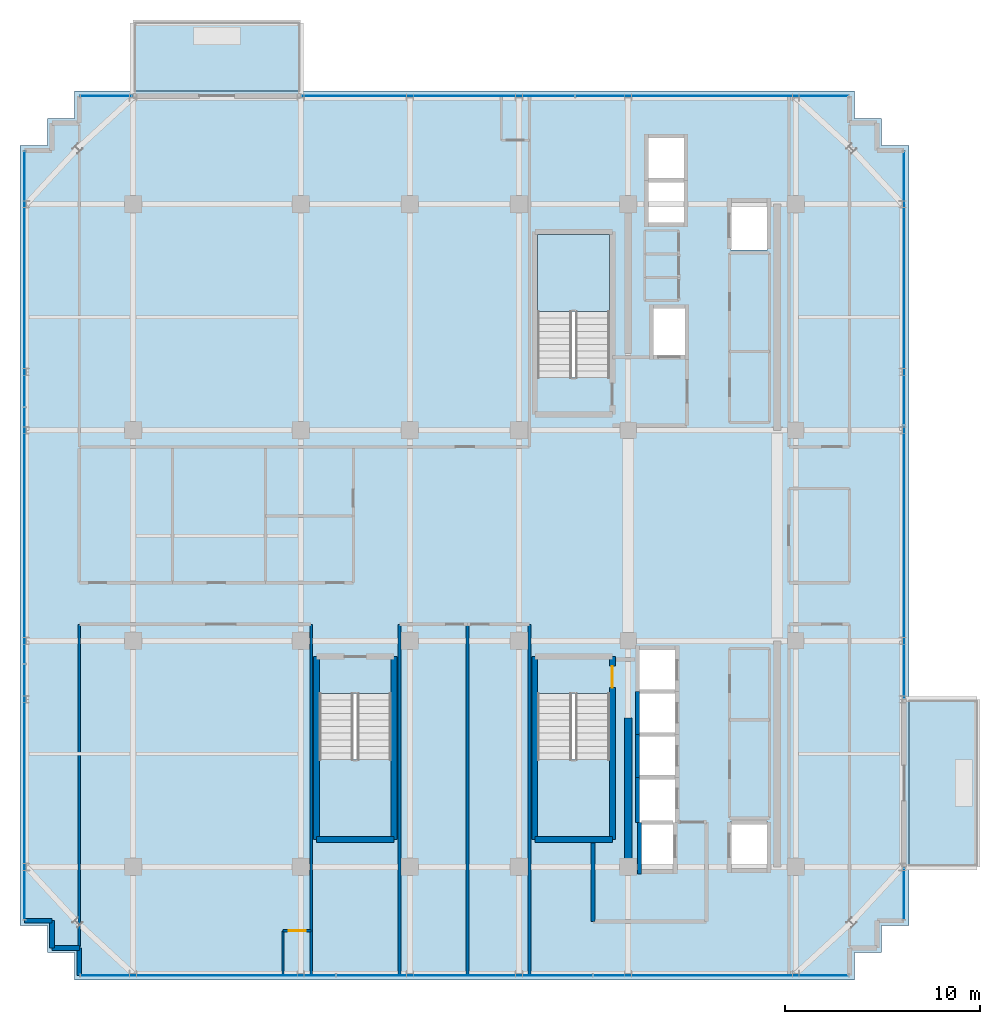
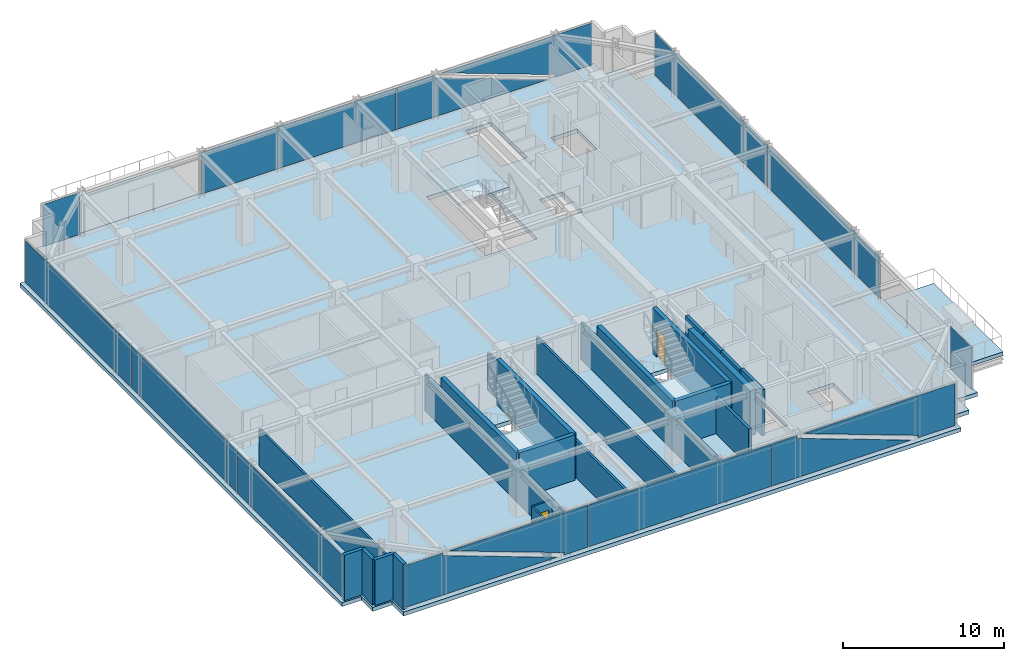
# One storey, part 23 of 31: 23 walls, 12 plates, 6 slabs, 2 doors, 2 openings, 9 elements without a shape of their own.
"""IFC4 building model written with IfcOpenShell, lengths in metres."""

from ifc_helpers import new_model, si_unit, direction, frame, frame_2d, origin, origin_2d, place, context, subcontext, project, spatial, polyline, rectangle, outline, extrude, source, transform, mapped, material, layer, layer_set, type_object, element, fill, aggregate, save


model = new_model("IFC4")

# Units and contexts
model_context = context("Model", 3, precision=1e-05, world=origin(), true_north=direction((0.0, 1.0)))
body_context = subcontext(model_context, "Body", "Model", "MODEL_VIEW")
ifc_project = project(units=[si_unit("LENGTHUNIT", "METRE"), si_unit("AREAUNIT", "SQUARE_METRE"), si_unit("VOLUMEUNIT", "CUBIC_METRE"), si_unit("PLANEANGLEUNIT", "RADIAN"), si_unit("MASSUNIT", "GRAM", prefix="KILO")], contexts=[model_context])

# Site, building, storey
site_placement = place(None, origin())
site = spatial("IfcSite", under=ifc_project, at=site_placement, CompositionType="ELEMENT")
building_placement = place(site_placement, origin())
building = spatial("IfcBuilding", under=site, at=building_placement, Name="Nahalor Promenade Grand Hotel", CompositionType="ELEMENT")
storey_placement = place(building_placement, frame((0.0, 0.0, 281.300048828125)))
storey = spatial("IfcBuildingStorey", under=building, at=storey_placement, Name="L72", CompositionType="ELEMENT", Elevation=281.300048828125)

# Curtain wall, plates
ifc_material_1 = material(Name="Anodised Bronze Aluminium EN AW-6063 T6", Category="aluminium")
curtain_wall_type = type_object("IfcCurtainWallType", Name="CW2 Typical Hotel Flush Bronze Unitised Curtain Wall", PredefinedType="USERDEFINED", material=ifc_material_1)
curtain_wall_1_placement = place(storey_placement, origin())
curtain_wall_1 = element("IfcCurtainWall", 1, at=curtain_wall_1_placement, inside=storey, type_object=curtain_wall_type, Name="L72 Curtain Wall CW-L72-S-1", ObjectType="UNITISED_CURTAIN_WALL", PredefinedType="USERDEFINED")
ifc_material_2 = material(Name="Low-E Laminated Solar Glass", Category="glass")
ifc_layer_1 = layer(ifc_material_2, 0.028076171875)
ifc_layer_set_1 = layer_set([ifc_layer_1], Name="Low-E Laminated Solar Glass")
plate_type = type_object("IfcPlateType", Name="CWP2 Bronze Low-E Vision IGU 28mm", PredefinedType="CURTAIN_PANEL", material=ifc_layer_set_1)
plate_1_placement = place(storey_placement, frame((-13.156982421875, -22.56005859375, 0.1298828125), z_axis=(0.0, 0.0, 1.0), x_axis=(1.0, 0.0, 0.0)))
plate_1 = element("IfcPlate", 2, at=plate_1_placement, type_object=plate_type, Name="CW-L72-S-1 Glazing Panel 0-0", PredefinedType="CURTAIN_PANEL", context=body_context, shape_type="SweptSolid", body=[
    extrude(outline(polyline([(-6.537841796875, 3.18994140625), (-6.537841796875, 0.0), (4.302978515625, 0.0), (-3.926513671875, 3.01416015625), (-3.8623046875, 3.18994140625), (-6.537841796875, 3.18994140625)])), frame((0.0, 0.01416015625, 0.0), z_axis=(0.0, -1.0, 0.0), x_axis=(1.0, 0.0, 0.0)), (0.0, 0.0, 1.0), 0.028076171875),
    extrude(outline(polyline([(6.537841796875, 0.0), (6.537841796875, 3.18994140625), (-3.388671875, 3.18994140625), (4.8408203125, 0.17578125), (4.7763671875, 0.0), (6.537841796875, 0.0)])), frame((0.0, 0.01416015625, 0.0), z_axis=(0.0, -1.0, 0.0), x_axis=(1.0, 0.0, 0.0)), (0.0, 0.0, 1.0), 0.028076171875),
])
plate_2_placement = place(storey_placement, frame((13.156982421875, -22.56005859375, 0.1298828125), z_axis=(0.0, 0.0, 1.0), x_axis=(1.0, 0.0, 0.0)))
plate_2 = element("IfcPlate", 3, at=plate_2_placement, type_object=plate_type, Name="CW-L72-S-1 Glazing Panel 2-0", PredefinedType="CURTAIN_PANEL", context=body_context, shape_type="SweptSolid", body=[
    extrude(outline(polyline([(-6.537841796875, 3.18994140625), (-6.537841796875, 0.0), (3.388671875, 0.0), (-4.8408203125, 3.01416015625), (-4.7763671875, 3.18994140625), (-6.537841796875, 3.18994140625)])), frame((0.0, 0.01416015625, 0.0), z_axis=(0.0, -1.0, 0.0), x_axis=(1.0, 0.0, 0.0)), (0.0, 0.0, 1.0), 0.028076171875),
    extrude(outline(polyline([(6.537841796875, 0.0), (6.537841796875, 3.18994140625), (-4.302978515625, 3.18994140625), (3.926513671875, 0.17578125), (3.8623046875, 0.0), (6.537841796875, 0.0)])), frame((0.0, 0.01416015625, 0.0), z_axis=(0.0, -1.0, 0.0), x_axis=(1.0, 0.0, 0.0)), (0.0, 0.0, 1.0), 0.028076171875),
])

# Curtain wall, plate
curtain_wall_2_placement = place(storey_placement, origin())
curtain_wall_2 = element("IfcCurtainWall", 4, at=curtain_wall_2_placement, inside=storey, type_object=curtain_wall_type, Name="L72 Curtain Wall CW-L72-N-3", ObjectType="UNITISED_CURTAIN_WALL", PredefinedType="USERDEFINED")
plate_3_placement = place(storey_placement, frame((12.703857421875, 22.56005859375, 0.1298828125), z_axis=(0.0, 0.0, 1.0), x_axis=(1.0, 0.0, 0.0)))
plate_3 = element("IfcPlate", 5, at=plate_3_placement, type_object=plate_type, Name="CW-L72-N-3 Glazing Panel 1-0", PredefinedType="CURTAIN_PANEL", context=body_context, shape_type="SweptSolid", body=[
    extrude(outline(polyline([(-6.9912109375, 3.18994140625), (-6.9912109375, 0.0), (3.842041015625, 0.0), (-4.387451171875, 3.01416015625), (-4.322998046875, 3.18994140625), (-6.9912109375, 3.18994140625)])), frame((0.0, 0.01416015625, 0.0), z_axis=(0.0, -1.0, 0.0), x_axis=(1.0, 0.0, 0.0)), (0.0, 0.0, 1.0), 0.028076171875),
    extrude(outline(polyline([(6.9912109375, 0.0), (6.9912109375, 3.18994140625), (-3.849609375, 3.18994140625), (4.3798828125, 0.17578125), (4.3154296875, 0.0), (6.9912109375, 0.0)])), frame((0.0, 0.01416015625, 0.0), z_axis=(0.0, -1.0, 0.0), x_axis=(1.0, 0.0, 0.0)), (0.0, 0.0, 1.0), 0.028076171875),
])

# Stair, slab
ifc_material_3 = material(Name="Concrete B-50 (C40/50)", Category="concrete")
stair_type_1 = type_object("IfcStairType", Name="Stair-ST1", PredefinedType="HALF_TURN_STAIR", material=ifc_material_3)
stair_1_placement = place(storey_placement, origin())
stair_1 = element("IfcStair", 6, at=stair_1_placement, inside=storey, type_object=stair_type_1, Name="L72 ST1", PredefinedType="HALF_TURN_STAIR")
ifc_layer_2 = layer(ifc_material_3, 0.199951171875)
ifc_layer_set_2 = layer_set([ifc_layer_2], Name="Concrete B-50 (C40/50)")
slab_type_1 = type_object("IfcSlabType", Name="Landing-ST1", PredefinedType="LANDING", material=ifc_layer_set_2)
slab_1_placement = place(storey_placement, frame((0.0, 0.0, 1.675048828125)))
slab_1 = element("IfcSlab", 7, at=slab_1_placement, type_object=slab_type_1, Name="ST1 landing 1", PredefinedType="LANDING", context=body_context, shape_type="SweptSolid", body=[
    extrude(outline(polyline([(7.449951171875, 11.5), (7.449951171875, 15.449951171875), (3.75, 15.449951171875), (3.75, 11.5), (7.449951171875, 11.5)])), origin(), (0.0, 0.0, 1.0), 0.199951171875),
])
aggregate(stair_1, [slab_1])

stair_type_2 = type_object("IfcStairType", Name="Stair-ST2", PredefinedType="HALF_TURN_STAIR", material=ifc_material_3)
stair_2_placement = place(storey_placement, origin())
stair_2 = element("IfcStair", 8, at=stair_2_placement, inside=storey, type_object=stair_type_2, Name="L72 ST2", PredefinedType="HALF_TURN_STAIR")
ifc_layer_3 = layer(ifc_material_3, 0.2099609375)
ifc_layer_set_3 = layer_set([ifc_layer_3], Name="Concrete B-50 (C40/50)")
slab_type_2 = type_object("IfcSlabType", Name="Landing-ST2", PredefinedType="LANDING", material=ifc_layer_set_3)
slab_2_placement = place(storey_placement, frame((0.0, 0.0, 1.6650390625)))
slab_2 = element("IfcSlab", 9, at=slab_2_placement, type_object=slab_type_2, Name="ST2 landing 1", PredefinedType="LANDING", context=body_context, shape_type="SweptSolid", body=[
    extrude(outline(polyline([(3.75, -11.5), (3.75, -15.449951171875), (7.449951171875, -15.449951171875), (7.449951171875, -11.5), (3.75, -11.5)])), origin(), (0.0, 0.0, 1.0), 0.2099609375),
])
aggregate(stair_2, [slab_2])

stair_type_3 = type_object("IfcStairType", Name="Stair-ST3", PredefinedType="HALF_TURN_STAIR", material=ifc_material_3)
stair_3_placement = place(storey_placement, origin())
stair_3 = element("IfcStair", 10, at=stair_3_placement, inside=storey, type_object=stair_type_3, Name="L72 ST3", PredefinedType="HALF_TURN_STAIR")
ifc_layer_4 = layer(ifc_material_3, 0.219970703125)
ifc_layer_set_4 = layer_set([ifc_layer_4], Name="Concrete B-50 (C40/50)")
slab_type_3 = type_object("IfcSlabType", Name="Landing-ST3", PredefinedType="LANDING", material=ifc_layer_set_4)
slab_3_placement = place(storey_placement, frame((0.0, 0.0, 1.655029296875)))
slab_3 = element("IfcSlab", 11, at=slab_3_placement, type_object=slab_type_3, Name="ST3 landing 1", PredefinedType="LANDING", context=body_context, shape_type="SweptSolid", body=[
    extrude(outline(polyline([(-7.449951171875, -11.5), (-7.449951171875, -15.449951171875), (-3.75, -15.449951171875), (-3.75, -11.5), (-7.449951171875, -11.5)])), origin(), (0.0, 0.0, 1.0), 0.219970703125),
])
aggregate(stair_3, [slab_3])

# Slabs
ifc_layer_5 = layer(ifc_material_3, 0.280029296875)
ifc_layer_set_5 = layer_set([ifc_layer_5], Name="Concrete B-50 (C40/50)")
slab_type_4 = type_object("IfcSlabType", Name="Slab-Balcony-280", PredefinedType="FLOOR", material=ifc_layer_set_5)
slab_4_placement = place(storey_placement, frame((0.0, 0.0, -0.280029296875)))
element("IfcSlab", 12, at=slab_4_placement, inside=storey, type_object=slab_type_4, Name="L72 Cantilevered Planted Balcony 1", PredefinedType="FLOOR", context=body_context, shape_type="SweptSolid", body=[
    extrude(outline(polyline([(-17.0, 22.800048828125), (-8.39990234375, 22.800048828125), (-8.39990234375, 26.3798828125), (-17.0, 26.3798828125), (-17.0, 22.800048828125)])), origin(), (0.0, 0.0, 1.0), 0.280029296875),
])
slab_5_placement = place(storey_placement, frame((0.0, 0.0, -0.280029296875)))
element("IfcSlab", 13, at=slab_5_placement, inside=storey, type_object=slab_type_4, Name="L72 Cantilevered Planted Balcony 2", PredefinedType="FLOOR", context=body_context, shape_type="SweptSolid", body=[
    extrude(outline(polyline([(22.800048828125, -17.0), (26.3701171875, -17.0), (26.3701171875, -8.39990234375), (22.800048828125, -8.39990234375), (22.800048828125, -17.0)])), origin(), (0.0, 0.0, 1.0), 0.280029296875),
])
ifc_layer_6 = layer(ifc_material_3, 0.300048828125)
ifc_layer_set_6 = layer_set([ifc_layer_6], Name="Concrete B-50 (C40/50)")
slab_type_5 = type_object("IfcSlabType", Name="Slab-TowerZ5-300", PredefinedType="FLOOR", material=ifc_layer_set_6)
slab_6_placement = place(storey_placement, frame((0.0, 0.0, -0.300048828125)))
element("IfcSlab", 14, at=slab_6_placement, inside=storey, type_object=slab_type_5, Name="L72 Suspended Structural Floor Slab", PredefinedType="FLOOR", context=body_context, shape_type="SweptSolid", body=[
    extrude(outline(polyline([(-20.0, -22.800048828125), (20.0, -22.800048828125), (20.0, -21.39990234375), (21.39990234375, -21.39990234375), (21.39990234375, -20.0), (22.800048828125, -20.0), (22.800048828125, 20.0), (21.39990234375, 20.0), (21.39990234375, 21.39990234375), (20.0, 21.39990234375), (20.0, 22.800048828125), (-20.0, 22.800048828125), (-20.0, 21.39990234375), (-21.39990234375, 21.39990234375), (-21.39990234375, 20.0), (-22.800048828125, 20.0), (-22.800048828125, -20.0), (-21.39990234375, -20.0), (-21.39990234375, -21.39990234375), (-20.0, -21.39990234375), (-20.0, -22.800048828125)]), holes=[polyline([(3.75, 8.10009765625), (7.449951171875, 8.10009765625), (7.449951171875, 15.449951171875), (3.75, 15.449951171875), (3.75, 8.10009765625)]), polyline([(3.75, -15.449951171875), (7.449951171875, -15.449951171875), (7.449951171875, -8.10009765625), (3.75, -8.10009765625), (3.75, -15.449951171875)]), polyline([(-7.449951171875, -15.449951171875), (-3.75, -15.449951171875), (-3.75, -8.10009765625), (-7.449951171875, -8.10009765625), (-7.449951171875, -15.449951171875)]), polyline([(8.9599609375, -17.18994140625), (10.840087890625, -17.18994140625), (10.840087890625, -5.81005859375), (8.9599609375, -5.81005859375), (8.9599609375, -17.18994140625)]), polyline([(9.409912109375, 16.010009765625), (11.2900390625, 16.010009765625), (11.2900390625, 20.43994140625), (9.409912109375, 20.43994140625), (9.409912109375, 16.010009765625)]), polyline([(9.659912109375, 9.2099609375), (11.340087890625, 9.2099609375), (11.340087890625, 11.68994140625), (9.659912109375, 11.68994140625), (9.659912109375, 9.2099609375)]), polyline([(13.659912109375, 14.659912109375), (15.5400390625, 14.659912109375), (15.5400390625, 17.139892578125), (13.659912109375, 17.139892578125), (13.659912109375, 14.659912109375)]), polyline([(13.659912109375, -17.139892578125), (15.5400390625, -17.139892578125), (15.5400390625, -14.659912109375), (13.659912109375, -14.659912109375), (13.659912109375, -17.139892578125)])]), origin(), (0.0, 0.0, 1.0), 0.300048828125),
])

# Plate
shared_shape_1 = source(origin(), body_context, "Body", "SweptSolid", [
    extrude(rectangle(XDim=13.1083984375, YDim=0.028076171875, at=origin_2d()), origin(), (0.0, 0.0, 1.0), 3.18994140625),
])
plate_4_placement = place(storey_placement, frame((0.0, -22.56005859375, 0.1298828125), z_axis=(0.0, 0.0, 1.0), x_axis=(1.0, 0.0, 0.0)))
plate_4 = element("IfcPlate", 15, at=plate_4_placement, type_object=plate_type, Name="CW-L72-S-1 Glazing Panel 1-0", PredefinedType="CURTAIN_PANEL", context=body_context, shape_type="MappedRepresentation", body=[
    mapped(shared_shape_1, transform((0.0, 0.0, 0.0), scale=1.0)),
])

aggregate(curtain_wall_1, [plate_1, plate_4, plate_2])

# Curtain wall, plate
curtain_wall_3_placement = place(storey_placement, origin())
curtain_wall_3 = element("IfcCurtainWall", 16, at=curtain_wall_3_placement, inside=storey, type_object=curtain_wall_type, Name="L72 Curtain Wall CW-L72-W-1", ObjectType="UNITISED_CURTAIN_WALL", PredefinedType="USERDEFINED")
plate_5_placement = place(storey_placement, frame((-22.56005859375, 0.0, 0.1298828125), z_axis=(0.0, 0.0, 1.0), x_axis=(0.0, 1.0, 0.0)))
plate_5 = element("IfcPlate", 17, at=plate_5_placement, type_object=plate_type, Name="CW-L72-W-1 Glazing Panel 1-0", PredefinedType="CURTAIN_PANEL", context=body_context, shape_type="MappedRepresentation", body=[
    mapped(shared_shape_1, transform((0.0, 0.0, 0.0), scale=1.0)),
])

curtain_wall_4_placement = place(storey_placement, origin())
curtain_wall_4 = element("IfcCurtainWall", 18, at=curtain_wall_4_placement, inside=storey, type_object=curtain_wall_type, Name="L72 Curtain Wall CW-L72-N-1", ObjectType="UNITISED_CURTAIN_WALL", PredefinedType="USERDEFINED")
shared_shape_2 = source(origin(), body_context, "Body", "SweptSolid", [
    extrude(rectangle(XDim=2.6298828125, YDim=0.028076171875, at=origin_2d()), origin(), (0.0, 0.0, 1.0), 3.18994140625),
])
plate_6_placement = place(storey_placement, frame((-18.3798828125, 22.56005859375, 0.1298828125), z_axis=(0.0, 0.0, 1.0), x_axis=(1.0, 0.0, 0.0)))
plate_6 = element("IfcPlate", 19, at=plate_6_placement, type_object=plate_type, Name="CW-L72-N-1 Glazing Panel 0-0", PredefinedType="CURTAIN_PANEL", context=body_context, shape_type="MappedRepresentation", body=[
    mapped(shared_shape_2, transform((0.0, 0.0, 0.0), scale=1.0)),
])
aggregate(curtain_wall_4, [plate_6])

curtain_wall_5_placement = place(storey_placement, origin())
curtain_wall_5 = element("IfcCurtainWall", 20, at=curtain_wall_5_placement, inside=storey, type_object=curtain_wall_type, Name="L72 Curtain Wall CW-L72-E-1", ObjectType="UNITISED_CURTAIN_WALL", PredefinedType="USERDEFINED")
plate_7_placement = place(storey_placement, frame((22.56005859375, -18.3798828125, 0.1298828125), z_axis=(0.0, 0.0, 1.0), x_axis=(0.0, 1.0, 0.0)))
plate_7 = element("IfcPlate", 21, at=plate_7_placement, type_object=plate_type, Name="CW-L72-E-1 Glazing Panel 0-0", PredefinedType="CURTAIN_PANEL", context=body_context, shape_type="MappedRepresentation", body=[
    mapped(shared_shape_2, transform((0.0, 0.0, 0.0), scale=1.0)),
])
aggregate(curtain_wall_5, [plate_7])

# Plate
shared_shape_3 = source(origin(), body_context, "Body", "SweptSolid", [
    extrude(rectangle(XDim=13.982421875, YDim=0.028076171875, at=origin_2d()), origin(), (0.0, 0.0, 1.0), 3.18994140625),
])
plate_8_placement = place(storey_placement, frame((-1.34375, 22.56005859375, 0.1298828125), z_axis=(0.0, 0.0, 1.0), x_axis=(1.0, 0.0, 0.0)))
plate_8 = element("IfcPlate", 22, at=plate_8_placement, type_object=plate_type, Name="CW-L72-N-3 Glazing Panel 0-0", PredefinedType="CURTAIN_PANEL", context=body_context, shape_type="MappedRepresentation", body=[
    mapped(shared_shape_3, transform((0.0, 0.0, 0.0), scale=1.0)),
])

aggregate(curtain_wall_2, [plate_8, plate_3])

# Curtain wall, plates
curtain_wall_6_placement = place(storey_placement, origin())
curtain_wall_6 = element("IfcCurtainWall", 23, at=curtain_wall_6_placement, inside=storey, type_object=curtain_wall_type, Name="L72 Curtain Wall CW-L72-E-3", ObjectType="UNITISED_CURTAIN_WALL", PredefinedType="USERDEFINED")
plate_9_placement = place(storey_placement, frame((22.56005859375, -1.34375, 0.1298828125), z_axis=(0.0, 0.0, 1.0), x_axis=(0.0, 1.0, 0.0)))
plate_9 = element("IfcPlate", 24, at=plate_9_placement, type_object=plate_type, Name="CW-L72-E-3 Glazing Panel 0-0", PredefinedType="CURTAIN_PANEL", context=body_context, shape_type="MappedRepresentation", body=[
    mapped(shared_shape_3, transform((0.0, 0.0, 0.0), scale=1.0)),
])
plate_10_placement = place(storey_placement, frame((22.56005859375, 12.703857421875, 0.1298828125), z_axis=(0.0, 0.0, 1.0), x_axis=(0.0, 1.0, 0.0)))
plate_10 = element("IfcPlate", 25, at=plate_10_placement, type_object=plate_type, Name="CW-L72-E-3 Glazing Panel 1-0", PredefinedType="CURTAIN_PANEL", context=body_context, shape_type="MappedRepresentation", body=[
    mapped(shared_shape_3, transform((0.0, 0.0, 0.0), scale=1.0)),
])
aggregate(curtain_wall_6, [plate_9, plate_10])

# Plate
shared_shape_4 = source(origin(), body_context, "Body", "SweptSolid", [
    extrude(rectangle(XDim=13.075927734375, YDim=0.028076171875, at=origin_2d()), origin(), (0.0, 0.0, 1.0), 3.18994140625),
])
plate_11_placement = place(storey_placement, frame((-22.56005859375, -13.156982421875, 0.1298828125), z_axis=(0.0, 0.0, 1.0), x_axis=(0.0, 1.0, 0.0)))
plate_11 = element("IfcPlate", 26, at=plate_11_placement, type_object=plate_type, Name="CW-L72-W-1 Glazing Panel 0-0", PredefinedType="CURTAIN_PANEL", context=body_context, shape_type="MappedRepresentation", body=[
    mapped(shared_shape_4, transform((0.0, 0.0, 0.0), scale=1.0)),
])

plate_12_placement = place(storey_placement, frame((-22.56005859375, 13.156982421875, 0.1298828125), z_axis=(0.0, 0.0, 1.0), x_axis=(0.0, 1.0, 0.0)))
plate_12 = element("IfcPlate", 27, at=plate_12_placement, type_object=plate_type, Name="CW-L72-W-1 Glazing Panel 2-0", PredefinedType="CURTAIN_PANEL", context=body_context, shape_type="MappedRepresentation", body=[
    mapped(shared_shape_4, transform((0.0, 0.0, 0.0), scale=1.0)),
])

aggregate(curtain_wall_3, [plate_11, plate_5, plate_12])

# Walls
ifc_layer_7 = layer(ifc_material_3, 0.39990234375)
ifc_layer_set_7 = layer_set([ifc_layer_7], Name="Concrete B-50 (C40/50)")
wall_type_1 = type_object("IfcWallType", Name="Wall-CoreShear-400", PredefinedType="SHEAR", material=ifc_layer_set_7)
shared_shape_5 = source(origin(), body_context, "Body", "SweptSolid", [
    extrude(rectangle(XDim=7.64990234375, YDim=0.39990234375, at=frame_2d((3.824951171875, 0.0))), origin(), (0.0, 0.0, 1.0), 3.449951171875),
])
wall_1_placement = place(storey_placement, frame((8.39990234375, -17.0, 0.0), z_axis=(0.0, 0.0, 1.0), x_axis=(0.0, 1.0, 0.0)))
element("IfcWall", 28, at=wall_1_placement, inside=storey, type_object=wall_type_1, Name="CWALL-L72-SW", PredefinedType="SHEAR", context=body_context, shape_type="MappedRepresentation", body=[
    mapped(shared_shape_5, transform((0.0, 0.0, 0.0), scale=1.0)),
])
ifc_layer_8 = layer(ifc_material_3, 0.300048828125)
ifc_layer_set_8 = layer_set([ifc_layer_8], Name="Concrete B-50 (C40/50)")
wall_type_2 = type_object("IfcWallType", Name="Wall-ShaftShear-300", PredefinedType="SHEAR", material=ifc_layer_set_8)
shared_shape_6 = source(origin(), body_context, "Body", "SweptSolid", [
    extrude(rectangle(XDim=3.97998046875, YDim=0.300048828125, at=frame_2d((1.989990234375, 0.0))), origin(), (0.0, 0.0, 1.0), 3.449951171875),
])
for number, where, z_axis, x_axis, name in (
    (29, (3.610107421875, -15.590087890625, 0.0), (0.0, 0.0, 1.0), (1.0, 0.0, 0.0), "L72 Exit Stair ST2 Shaft Wall S"),
    (30, (-7.590087890625, -15.590087890625, 0.0), (0.0, 0.0, 1.0), (1.0, 0.0, 0.0), "L72 Exit Stair ST3 Shaft Wall S"),
):
    element("IfcWall", number, at=place(storey_placement, frame(where, z_axis=z_axis, x_axis=x_axis)), inside=storey, type_object=wall_type_2, Name=name, PredefinedType="SHEAR", context=body_context, shape_type="MappedRepresentation", body=[
        mapped(shared_shape_6, transform((0.0, 0.0, 0.0), scale=1.0)),
    ])
shared_shape_7 = source(origin(), body_context, "Body", "SweptSolid", [
    extrude(rectangle(XDim=9.380126953125, YDim=0.300048828125, at=frame_2d((4.68994140625, 0.0))), origin(), (0.0, 0.0, 1.0), 3.449951171875),
])
wall_2_placement = place(storey_placement, frame((3.610107421875, -15.590087890625, 0.0), z_axis=(0.0, 0.0, 1.0), x_axis=(0.0, 1.0, 0.0)))
element("IfcWall", 31, at=wall_2_placement, inside=storey, type_object=wall_type_2, Name="L72 Exit Stair ST2 Shaft Wall W", PredefinedType="SHEAR", context=body_context, shape_type="MappedRepresentation", body=[
    mapped(shared_shape_7, transform((0.0, 0.0, 0.0), scale=1.0)),
])

# Wall, opening, door
wall_3_placement = place(storey_placement, frame((7.590087890625, -15.590087890625, 0.0), z_axis=(0.0, 0.0, 1.0), x_axis=(0.0, 1.0, 0.0)))
wall_3 = element("IfcWall", 32, at=wall_3_placement, inside=storey, type_object=wall_type_2, Name="L72 Exit Stair ST2 Shaft Wall E", PredefinedType="SHEAR", context=body_context, shape_type="MappedRepresentation", body=[
    mapped(shared_shape_7, transform((0.0, 0.0, 0.0), scale=1.0)),
])
opening_1_placement = place(wall_3_placement, frame((7.7900390625, 0.0, 0.0)))
opening_1 = element("IfcOpeningElement", 33, at=opening_1_placement, cuts=wall_3, Name="Opening D-ST1", PredefinedType="OPENING", context=body_context, shape_type="SweptSolid", body=[
    extrude(rectangle(XDim=1.10009765625, YDim=2.14990234375, at=frame_2d((0.550048828125, 1.074951171875))), frame((0.0, 0.159912109375, 0.0), z_axis=(0.0, -1.0, 0.0), x_axis=(1.0, 0.0, 0.0)), (0.0, 0.0, 1.0), 0.320068359375),
])
ifc_material_4 = material(Name="Steel S355JR", Category="steel")
door_type_1 = type_object("IfcDoorType", Name="Door-StairFire-1100", OperationType="NOTDEFINED", PredefinedType="DOOR", material=ifc_material_4)
shared_shape_8 = source(origin(), body_context, "Body", "SweptSolid", [
    extrude(rectangle(XDim=1.10009765625, YDim=2.14990234375, at=frame_2d((0.550048828125, 1.074951171875))), frame((0.0, 0.02490234375, 0.0), z_axis=(0.0, -1.0, 0.0), x_axis=(1.0, 0.0, 0.0)), (0.0, 0.0, 1.0), 0.050048828125),
])
door_1_placement = place(opening_1_placement, origin())
door_1 = element("IfcDoor", 34, at=door_1_placement, inside=storey, type_object=door_type_1, Name="DR-STAIR-ST2-L72", OperationType="SINGLE_SWING_LEFT", OverallHeight=2.14990234375, OverallWidth=1.10009765625, PredefinedType="DOOR", context=body_context, shape_type="MappedRepresentation", body=[
    mapped(shared_shape_8, transform((0.0, 0.0, 0.0), scale=1.0)),
])
fill(opening_1, door_1)

# Walls
for number, where, z_axis, x_axis, name in (
    (35, (-7.590087890625, -15.590087890625, 0.0), (0.0, 0.0, 1.0), (0.0, 1.0, 0.0), "L72 Exit Stair ST3 Shaft Wall W"),
    (36, (-3.610107421875, -15.590087890625, 0.0), (0.0, 0.0, 1.0), (0.0, 1.0, 0.0), "L72 Exit Stair ST3 Shaft Wall E"),
):
    element("IfcWall", number, at=place(storey_placement, frame(where, z_axis=z_axis, x_axis=x_axis)), inside=storey, type_object=wall_type_2, Name=name, PredefinedType="SHEAR", context=body_context, shape_type="MappedRepresentation", body=[
        mapped(shared_shape_7, transform((0.0, 0.0, 0.0), scale=1.0)),
    ])
ifc_layer_9 = layer(ifc_material_3, 0.219970703125)
ifc_layer_set_9 = layer_set([ifc_layer_9], Name="Concrete B-50 (C40/50)")
wall_type_3 = type_object("IfcWallType", Name="Wall-LiftShaft-220", PredefinedType="SHEAR", material=ifc_layer_set_9)
shared_shape_9 = source(origin(), body_context, "Body", "SweptSolid", [
    extrude(rectangle(XDim=2.199951171875, YDim=0.219970703125, at=frame_2d((1.10009765625, 0.0))), origin(), (0.0, 0.0, 1.0), 3.449951171875),
])
for number, where, z_axis, x_axis, name in (
    (37, (8.8798828125, -10.199951171875, 0.0), (0.0, 0.0, 1.0), (0.0, 1.0, 0.0), "L72 Lift PL10 Hoistway Wall W"),
    (38, (8.8798828125, -12.39990234375, 0.0), (0.0, 0.0, 1.0), (0.0, 1.0, 0.0), "L72 Lift PL11 Hoistway Wall W"),
):
    element("IfcWall", number, at=place(storey_placement, frame(where, z_axis=z_axis, x_axis=x_axis)), inside=storey, type_object=wall_type_3, Name=name, PredefinedType="SHEAR", context=body_context, shape_type="MappedRepresentation", body=[
        mapped(shared_shape_9, transform((0.0, 0.0, 0.0), scale=1.0)),
    ])
shared_shape_10 = source(origin(), body_context, "Body", "SweptSolid", [
    extrude(rectangle(XDim=2.3251953125, YDim=0.219970703125, at=frame_2d((1.16259765625, 0.0))), origin(), (0.0, 0.0, 1.0), 3.449951171875),
])
wall_4_placement = place(storey_placement, frame((8.8798828125, -14.72509765625, 0.0), z_axis=(0.0, 0.0, 1.0), x_axis=(0.0, 1.0, 0.0)))
element("IfcWall", 39, at=wall_4_placement, inside=storey, type_object=wall_type_3, Name="L72 Lift PL12 Hoistway Wall W", PredefinedType="SHEAR", context=body_context, shape_type="MappedRepresentation", body=[
    mapped(shared_shape_10, transform((0.0, 0.0, 0.0), scale=1.0)),
])
shared_shape_11 = source(origin(), body_context, "Body", "SweptSolid", [
    extrude(rectangle(XDim=2.635009765625, YDim=0.219970703125, at=frame_2d((1.3173828125, 0.0))), origin(), (0.0, 0.0, 1.0), 3.449951171875),
])
wall_5_placement = place(storey_placement, frame((8.97998046875, -17.360107421875, 0.0), z_axis=(0.0, 0.0, 1.0), x_axis=(0.0, 1.0, 0.0)))
element("IfcWall", 40, at=wall_5_placement, inside=storey, type_object=wall_type_3, Name="L72 Lift FL2 Hoistway Wall W", PredefinedType="SHEAR", context=body_context, shape_type="MappedRepresentation", body=[
    mapped(shared_shape_11, transform((0.0, 0.0, 0.0), scale=1.0)),
])
ifc_material_5 = material(Name="Concrete B-40 (C32/40)", Category="concrete")
ifc_layer_10 = layer(ifc_material_5, 0.25)
ifc_layer_set_10 = layer_set([ifc_layer_10], Name="Concrete B-40 (C32/40)")
wall_type_4 = type_object("IfcWallType", Name="Wall-BronzePier-250", PredefinedType="STANDARD", material=ifc_layer_set_10)
shared_shape_12 = source(origin(), body_context, "Body", "SweptSolid", [
    extrude(rectangle(XDim=1.400146484375, YDim=0.25, at=frame_2d((0.7001953125, 0.0))), origin(), (0.0, 0.0, 1.0), 3.449951171875),
])
for number, where, z_axis, x_axis, name in (
    (41, (-22.56005859375, -19.760009765625, 0.0), (0.0, 0.0, 1.0), (1.0, 0.0, 0.0), "W-L72-SR-13"),
    (42, (-19.760009765625, -22.56005859375, 0.0), (0.0, 0.0, 1.0), (0.0, 1.0, 0.0), "W-L72-SR-16"),
):
    element("IfcWall", number, at=place(storey_placement, frame(where, z_axis=z_axis, x_axis=x_axis)), inside=storey, type_object=wall_type_4, Name=name, PredefinedType="STANDARD", context=body_context, shape_type="MappedRepresentation", body=[
        mapped(shared_shape_12, transform((0.0, 0.0, 0.0), scale=1.0)),
    ])
shared_shape_13 = source(origin(), body_context, "Body", "SweptSolid", [
    extrude(rectangle(XDim=1.39990234375, YDim=0.25, at=frame_2d((0.699951171875, 0.0))), origin(), (0.0, 0.0, 1.0), 3.449951171875),
])
for number, where, z_axis, x_axis, name in (
    (43, (-21.159912109375, -21.159912109375, 0.0), (0.0, 0.0, 1.0), (0.0, 1.0, 0.0), "W-L72-SR-14"),
    (44, (-21.159912109375, -21.159912109375, 0.0), (0.0, 0.0, 1.0), (1.0, 0.0, 0.0), "W-L72-SR-15"),
):
    element("IfcWall", number, at=place(storey_placement, frame(where, z_axis=z_axis, x_axis=x_axis)), inside=storey, type_object=wall_type_4, Name=name, PredefinedType="STANDARD", context=body_context, shape_type="MappedRepresentation", body=[
        mapped(shared_shape_13, transform((0.0, 0.0, 0.0), scale=1.0)),
    ])
ifc_layer_11 = layer(ifc_material_5, 0.199951171875)
ifc_layer_set_11 = layer_set([ifc_layer_11], Name="Concrete B-40 (C32/40)")
wall_type_5 = type_object("IfcWallType", Name="Wall-PartFire-200", PredefinedType="PARTITIONING", material=ifc_layer_set_11)
shared_shape_14 = source(origin(), body_context, "Body", "SweptSolid", [
    extrude(rectangle(XDim=4.030029296875, YDim=0.199951171875, at=frame_2d((2.01513671875, 0.0))), origin(), (0.0, 0.0, 1.0), 2.7900390625),
])
wall_6_placement = place(storey_placement, frame((6.60009765625, -19.800048828125, 0.0), z_axis=(0.0, 0.0, 1.0), x_axis=(0.0, 1.0, 0.0)))
element("IfcWall", 45, at=wall_6_placement, inside=storey, type_object=wall_type_5, Name="W-L72-FF2-W1", PredefinedType="PARTITIONING", context=body_context, shape_type="MappedRepresentation", body=[
    mapped(shared_shape_14, transform((0.0, 0.0, 0.0), scale=1.0)),
])
ifc_material_6 = material(Name="Acoustic Mineral Gypsum", Category="gypsum")
ifc_layer_12 = layer(ifc_material_6, 0.159912109375)
ifc_layer_set_12 = layer_set([ifc_layer_12], Name="Acoustic Mineral Gypsum")
wall_type_6 = type_object("IfcWallType", Name="Wall-PartCorridor-160", PredefinedType="PARTITIONING", material=ifc_layer_set_12)
shared_shape_15 = source(origin(), body_context, "Body", "SweptSolid", [
    extrude(rectangle(XDim=17.949951171875, YDim=0.159912109375, at=frame_2d((8.97509765625, 0.0))), origin(), (0.0, 0.0, 1.0), 2.7900390625),
])
for number, where, z_axis, x_axis, name in (
    (46, (-3.340087890625, -22.5, 0.0), (0.0, 0.0, 1.0), (0.0, 1.0, 0.0), "W-L72-SCB1-W"),
    (47, (0.14990234375, -22.5, 0.0), (0.0, 0.0, 1.0), (0.0, 1.0, 0.0), "W-L72-SCB1-E"),
    (48, (3.340087890625, -22.5, 0.0), (0.0, 0.0, 1.0), (0.0, 1.0, 0.0), "W-L72-SCB2-E"),
):
    element("IfcWall", number, at=place(storey_placement, frame(where, z_axis=z_axis, x_axis=x_axis)), inside=storey, type_object=wall_type_6, Name=name, PredefinedType="PARTITIONING", context=body_context, shape_type="MappedRepresentation", body=[
        mapped(shared_shape_15, transform((0.0, 0.0, 0.0), scale=1.0)),
    ])
ifc_layer_13 = layer(ifc_material_6, 0.139892578125)
ifc_layer_set_13 = layer_set([ifc_layer_13], Name="Acoustic Mineral Gypsum")
wall_type_7 = type_object("IfcWallType", Name="Wall-PartSuite-140", PredefinedType="PARTITIONING", material=ifc_layer_set_13)
shared_shape_16 = source(origin(), body_context, "Body", "SweptSolid", [
    extrude(rectangle(XDim=16.530029296875, YDim=0.139892578125, at=frame_2d((8.26513671875, 0.0))), origin(), (0.0, 0.0, 1.0), 2.7900390625),
])
wall_7_placement = place(storey_placement, frame((-19.760009765625, -21.080078125, 0.0), z_axis=(0.0, 0.0, 1.0), x_axis=(0.0, 1.0, 0.0)))
element("IfcWall", 49, at=wall_7_placement, inside=storey, type_object=wall_type_7, Name="W-L72-SW-ENDW", PredefinedType="PARTITIONING", context=body_context, shape_type="MappedRepresentation", body=[
    mapped(shared_shape_16, transform((0.0, 0.0, 0.0), scale=1.0)),
])
shared_shape_17 = source(origin(), body_context, "Body", "SweptSolid", [
    extrude(rectangle(XDim=17.949951171875, YDim=0.139892578125, at=frame_2d((8.97509765625, 0.0))), origin(), (0.0, 0.0, 1.0), 2.7900390625),
])
wall_8_placement = place(storey_placement, frame((-7.860107421875, -22.5, 0.0), z_axis=(0.0, 0.0, 1.0), x_axis=(0.0, 1.0, 0.0)))
element("IfcWall", 50, at=wall_8_placement, inside=storey, type_object=wall_type_7, Name="W-L72-SW-ENDE", PredefinedType="PARTITIONING", context=body_context, shape_type="MappedRepresentation", body=[
    mapped(shared_shape_17, transform((0.0, 0.0, 0.0), scale=1.0)),
])

# Wall, opening, door
ifc_layer_14 = layer(ifc_material_6, 0.1201171875)
ifc_layer_set_14 = layer_set([ifc_layer_14], Name="Acoustic Mineral Gypsum")
wall_type_8 = type_object("IfcWallType", Name="Wall-PartBath-120", PredefinedType="PARTITIONING", material=ifc_layer_set_14)
shared_shape_18 = source(origin(), body_context, "Body", "SweptSolid", [
    extrude(rectangle(XDim=1.449951171875, YDim=0.1201171875, at=frame_2d((0.72509765625, 0.0))), origin(), (0.0, 0.0, 1.0), 2.7900390625),
])
wall_9_placement = place(storey_placement, frame((-9.31005859375, -20.280029296875, 0.0), z_axis=(0.0, 0.0, 1.0), x_axis=(1.0, 0.0, 0.0)))
wall_9 = element("IfcWall", 51, at=wall_9_placement, inside=storey, type_object=wall_type_8, Name="W-L72-S1-BH", PredefinedType="PARTITIONING", context=body_context, shape_type="MappedRepresentation", body=[
    mapped(shared_shape_18, transform((0.0, 0.0, 0.0), scale=1.0)),
])
opening_2_placement = place(wall_9_placement, frame((0.284912109375, 0.0, 0.0)))
opening_2 = element("IfcOpeningElement", 52, at=opening_2_placement, cuts=wall_9, Name="Opening D-03", PredefinedType="OPENING", context=body_context, shape_type="SweptSolid", body=[
    extrude(rectangle(XDim=0.8798828125, YDim=2.10009765625, at=frame_2d((0.43994140625, 1.050048828125))), frame((0.0, 0.070068359375, 0.0), z_axis=(0.0, -1.0, 0.0), x_axis=(1.0, 0.0, 0.0)), (0.0, 0.0, 1.0), 0.14013671875),
])
ifc_material_7 = material(Name="Fire-Rated Timber Composite", Category="wood")
door_type_2 = type_object("IfcDoorType", Name="Door-BathSwing-880", OperationType="NOTDEFINED", PredefinedType="DOOR", material=ifc_material_7)
shared_shape_19 = source(origin(), body_context, "Body", "SweptSolid", [
    extrude(rectangle(XDim=0.8798828125, YDim=2.10009765625, at=frame_2d((0.43994140625, 1.050048828125))), frame((0.0, 0.02490234375, 0.0), z_axis=(0.0, -1.0, 0.0), x_axis=(1.0, 0.0, 0.0)), (0.0, 0.0, 1.0), 0.050048828125),
])
door_2_placement = place(opening_2_placement, frame((0.8798828125, 0.0, 0.0), z_axis=(0.0, 0.0, 1.0), x_axis=(-1.0, 0.0, 0.0)))
door_2 = element("IfcDoor", 53, at=door_2_placement, inside=storey, type_object=door_type_2, Name="DR-L72-S1-BATH", OperationType="SINGLE_SWING_LEFT", OverallHeight=2.10009765625, OverallWidth=0.8798828125, PredefinedType="DOOR", context=body_context, shape_type="MappedRepresentation", body=[
    mapped(shared_shape_19, transform((0.0, 0.0, 0.0), scale=1.0)),
])
fill(opening_2, door_2)

# Wall
shared_shape_20 = source(origin(), body_context, "Body", "SweptSolid", [
    extrude(rectangle(XDim=2.219970703125, YDim=0.1201171875, at=frame_2d((1.10986328125, 0.0))), origin(), (0.0, 0.0, 1.0), 2.7900390625),
])
wall_10_placement = place(storey_placement, frame((-9.31005859375, -22.5, 0.0), z_axis=(0.0, 0.0, 1.0), x_axis=(0.0, 1.0, 0.0)))
element("IfcWall", 54, at=wall_10_placement, inside=storey, type_object=wall_type_8, Name="W-L72-S1-BV", PredefinedType="PARTITIONING", context=body_context, shape_type="MappedRepresentation", body=[
    mapped(shared_shape_20, transform((0.0, 0.0, 0.0), scale=1.0)),
])

save(model, "model.ifc")
